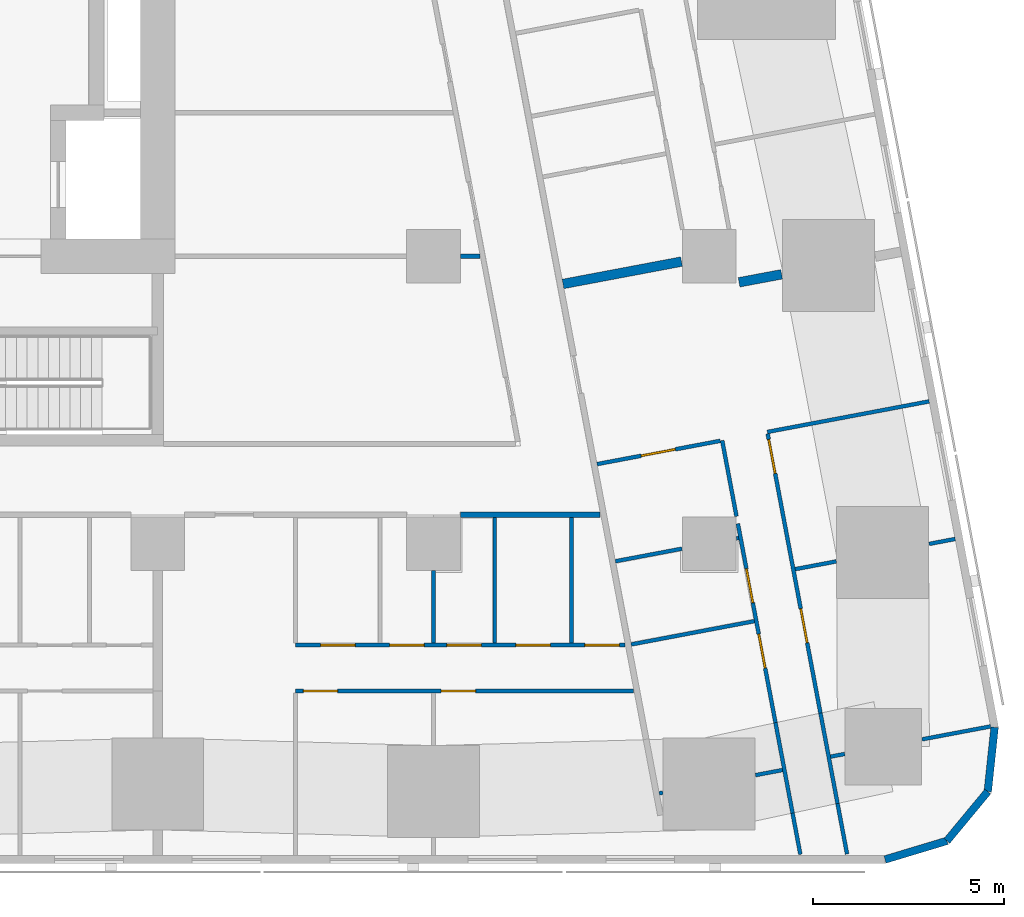
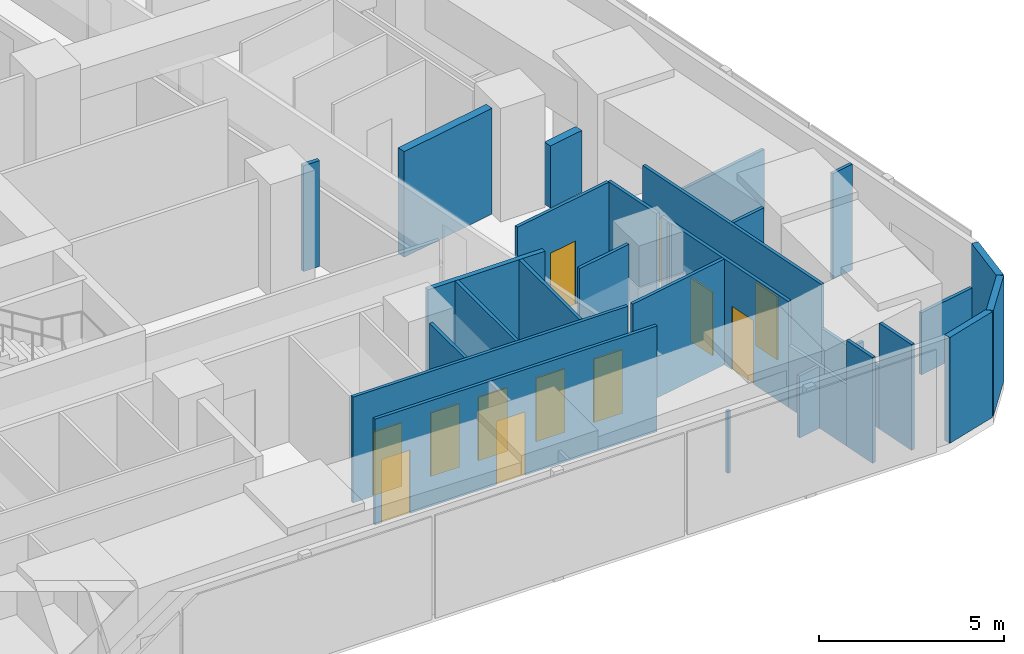
# One storey, part 10 of 17: 30 walls, 12 doors, 12 openings.
"""IFC4 building model written with IfcOpenShell, lengths in metres."""

from ifc_helpers import new_model, si_unit, direction, frame, frame_2d, origin, place, context, subcontext, project, spatial, rectangle, extrude, material, layer, layer_set, type_object, element, fill, save


model = new_model("IFC4")

# Units and contexts
model_context = context("Model", 3, precision=1e-05, world=origin(), true_north=direction((0.0, 1.0)))
body_context = subcontext(model_context, "Body", "Model", "MODEL_VIEW")
ifc_project = project(units=[si_unit("LENGTHUNIT", "METRE"), si_unit("AREAUNIT", "SQUARE_METRE"), si_unit("VOLUMEUNIT", "CUBIC_METRE"), si_unit("PLANEANGLEUNIT", "RADIAN"), si_unit("MASSUNIT", "GRAM", prefix="KILO")], contexts=[model_context])

# Site, building, storey
site_placement = place(None, origin())
site = spatial("IfcSite", under=ifc_project, at=site_placement, CompositionType="ELEMENT")
building_placement = place(site_placement, origin())
building = spatial("IfcBuilding", under=site, at=building_placement, Name="Sheger Commons Tower", CompositionType="ELEMENT")
storey_placement = place(building_placement, frame((0.0, 0.0, 193.699951171875)))
storey = spatial("IfcBuildingStorey", under=building, at=storey_placement, Name="L49", CompositionType="ELEMENT", Elevation=193.699951171875)

# Walls
ifc_material_1 = material(Name="Hollow concrete block masonry, skimmed both sides", Category="masonry")
ifc_layer_1 = layer(ifc_material_1, 0.14990234375)
ifc_layer_set_1 = layer_set([ifc_layer_1], Name="CORRIDOR WALL 150")
wall_type_1 = type_object("IfcWallType", Name="CORRIDOR WALL 150", PredefinedType="SOLIDWALL", material=ifc_layer_set_1)
wall_1_placement = place(storey_placement, frame((40.35498046875, 8.25, 0.0), z_axis=(0.0, 0.0, 1.0), x_axis=(-1.0, 0.0, 0.0)))
element("IfcWall", 1, at=wall_1_placement, inside=storey, type_object=wall_type_1, Name="Corridor wall L49", PredefinedType="SOLIDWALL", context=body_context, shape_type="SweptSolid", body=[
    extrude(rectangle(XDim=3.654052734375, YDim=0.14990234375, at=frame_2d((1.8271484375, 0.0))), origin(), (0.0, 0.0, 1.0), 3.5),
])
ifc_material_2 = material(Name="Dense concrete block masonry, plastered both sides (separating wall between flats)", Category="masonry")
ifc_layer_2 = layer(ifc_material_2, 0.25)
ifc_layer_set_2 = layer_set([ifc_layer_2], Name="DEMISING WALL 250")
wall_type_2 = type_object("IfcWallType", Name="DEMISING WALL 250", PredefinedType="SOLIDWALL", material=ifc_layer_set_2)
wall_2_placement = place(storey_placement, frame((45.090087890625, 14.531005859375, 0.0), z_axis=(0.0, 0.0, 1.0), x_axis=(-0.982737354171, -0.185006196431, 0.0)))
element("IfcWall", 2, at=wall_2_placement, inside=storey, type_object=wall_type_2, Name="Demising wall L49", PredefinedType="SOLIDWALL", context=body_context, shape_type="SweptSolid", body=[
    extrude(rectangle(XDim=1.129638671875, YDim=0.25, at=frame_2d((0.56494140625, 0.0))), origin(), (0.0, 0.0, 1.0), 2.050048828125),
])
wall_3_placement = place(storey_placement, frame((42.47607421875, 14.863037109375, 0.0), z_axis=(0.0, 0.0, 1.0), x_axis=(-0.982638716117, -0.185529387398, 0.0)))
element("IfcWall", 3, at=wall_3_placement, inside=storey, type_object=wall_type_2, Name="Demising wall L49", PredefinedType="SOLIDWALL", context=body_context, shape_type="SweptSolid", body=[
    extrude(rectangle(XDim=3.147705078125, YDim=0.25, at=frame_2d((1.57373046875, 0.0))), origin(), (0.0, 0.0, 1.0), 3.5),
])
ifc_material_3 = material(Name="Rendered concrete block masonry, dark grey", Category="masonry")
ifc_layer_3 = layer(ifc_material_3, 0.199951171875)
ifc_layer_set_3 = layer_set([ifc_layer_3], Name="FACADE WALL 200")
wall_type_3 = type_object("IfcWallType", Name="FACADE WALL 200", PredefinedType="SOLIDWALL", material=ifc_layer_set_3)
wall_4_placement = place(storey_placement, frame((47.791015625, -0.75, 0.0), z_axis=(0.0, 0.0, 1.0), x_axis=(0.957455232626, 0.288581838509, 0.0)))
element("IfcWall", 4, at=wall_4_placement, inside=storey, type_object=wall_type_3, Name="Facade wall L49", PredefinedType="SOLIDWALL", context=body_context, shape_type="SweptSolid", body=[
    extrude(rectangle(XDim=1.687744140625, YDim=0.199951171875, at=frame_2d((0.84375, 0.0))), origin(), (0.0, 0.0, 1.0), 3.5),
])
wall_5_placement = place(storey_placement, frame((49.406982421875, -0.262939453125, 0.0), z_axis=(0.0, 0.0, 1.0), x_axis=(0.638042593423, 0.770001070764, 0.0)))
element("IfcWall", 5, at=wall_5_placement, inside=storey, type_object=wall_type_3, Name="Facade wall L49", PredefinedType="SOLIDWALL", context=body_context, shape_type="SweptSolid", body=[
    extrude(rectangle(XDim=1.672607421875, YDim=0.199951171875, at=frame_2d((0.83642578125, 0.0))), origin(), (0.0, 0.0, 1.0), 3.5),
])
wall_6_placement = place(storey_placement, frame((50.47412109375, 1.02490234375, 0.0), z_axis=(0.0, 0.0, 1.0), x_axis=(0.106047815515, 0.994361031429, 0.0)))
element("IfcWall", 6, at=wall_6_placement, inside=storey, type_object=wall_type_3, Name="Facade wall L49", PredefinedType="SOLIDWALL", context=body_context, shape_type="SweptSolid", body=[
    extrude(rectangle(XDim=1.6875, YDim=0.199951171875, at=frame_2d((0.84375, 0.0))), origin(), (0.0, 0.0, 1.0), 3.5),
])

# Wall, openings, doors
ifc_material_4 = material(Name="Gypsum board on steel studs", Category="steel")
ifc_layer_4 = layer(ifc_material_4, 0.10009765625)
ifc_layer_set_4 = layer_set([ifc_layer_4], Name="PARTITION 100")
wall_type_4 = type_object("IfcWallType", Name="PARTITION 100", PredefinedType="PARTITIONING", material=ifc_layer_set_4)
wall_7_placement = place(storey_placement, frame((41.22900390625, 3.64990234375, 0.0), z_axis=(0.0, 0.0, 1.0), x_axis=(-1.0, 0.0, 0.0)))
wall_7 = element("IfcWall", 7, at=wall_7_placement, inside=storey, type_object=wall_type_4, Name="Partition L49", PredefinedType="PARTITIONING", context=body_context, shape_type="SweptSolid", body=[
    extrude(rectangle(XDim=8.8291015625, YDim=0.10009765625, at=frame_2d((4.41455078125, 0.0))), origin(), (0.0, 0.0, 1.0), 3.5),
])
opening_1_placement = place(wall_7_placement, frame((7.72900390625, 0.0, 0.0)))
opening_1 = element("IfcOpeningElement", 8, at=opening_1_placement, cuts=wall_7, Name="Opening D2", PredefinedType="OPENING", context=body_context, shape_type="SweptSolid", body=[
    extrude(rectangle(XDim=0.89990234375, YDim=2.10009765625, at=frame_2d((0.449951171875, 1.050048828125))), frame((0.0, 0.06005859375, 0.0), z_axis=(0.0, -1.0, 0.0), x_axis=(1.0, 0.0, 0.0)), (0.0, 0.0, 1.0), 0.1201171875),
])
opening_2_placement = place(wall_7_placement, frame((4.12890625, 0.0, 0.0)))
opening_2 = element("IfcOpeningElement", 9, at=opening_2_placement, cuts=wall_7, Name="Opening D2", PredefinedType="OPENING", context=body_context, shape_type="SweptSolid", body=[
    extrude(rectangle(XDim=0.89990234375, YDim=2.10009765625, at=frame_2d((0.449951171875, 1.050048828125))), frame((0.0, 0.06005859375, 0.0), z_axis=(0.0, -1.0, 0.0), x_axis=(1.0, 0.0, 0.0)), (0.0, 0.0, 1.0), 0.1201171875),
])
ifc_material_5 = material(Name="Timber door set", Category="wood")
door_type = type_object("IfcDoorType", Name="INTERNAL DOOR 900x2100", OperationType="NOTDEFINED", PredefinedType="DOOR", material=ifc_material_5)
door_1_placement = place(opening_1_placement, origin())
door_1 = element("IfcDoor", 10, at=door_1_placement, inside=storey, type_object=door_type, Name="Main bedroom door", OperationType="SINGLE_SWING_RIGHT", OverallHeight=2.10009765625, OverallWidth=0.89990234375, PredefinedType="DOOR", context=body_context, shape_type="SweptSolid", body=[
    extrude(rectangle(XDim=0.89990234375, YDim=2.10009765625, at=frame_2d((0.449951171875, 1.050048828125))), frame((0.0, 0.02490234375, 0.0), z_axis=(0.0, -1.0, 0.0), x_axis=(1.0, 0.0, 0.0)), (0.0, 0.0, 1.0), 0.050048828125),
])
fill(opening_1, door_1)
door_2_placement = place(opening_2_placement, origin())
door_2 = element("IfcDoor", 11, at=door_2_placement, inside=storey, type_object=door_type, Name="Bedroom 2 door", OperationType="SINGLE_SWING_RIGHT", OverallHeight=2.10009765625, OverallWidth=0.89990234375, PredefinedType="DOOR", context=body_context, shape_type="SweptSolid", body=[
    extrude(rectangle(XDim=0.89990234375, YDim=2.10009765625, at=frame_2d((0.449951171875, 1.050048828125))), frame((0.0, 0.02490234375, 0.0), z_axis=(0.0, -1.0, 0.0), x_axis=(1.0, 0.0, 0.0)), (0.0, 0.0, 1.0), 0.050048828125),
])
fill(opening_2, door_2)

wall_8_placement = place(storey_placement, frame((41.001953125, 4.85009765625, 0.0), z_axis=(0.0, 0.0, 1.0), x_axis=(-1.0, 0.0, 0.0)))
wall_8 = element("IfcWall", 12, at=wall_8_placement, inside=storey, type_object=wall_type_4, Name="Partition L49", PredefinedType="PARTITIONING", context=body_context, shape_type="SweptSolid", body=[
    extrude(rectangle(XDim=8.60205078125, YDim=0.10009765625, at=frame_2d((4.301025390625, 0.0))), origin(), (0.0, 0.0, 1.0), 3.5),
])
opening_3_placement = place(wall_8_placement, frame((7.047119140625, 0.0, 0.0)))
opening_3 = element("IfcOpeningElement", 13, at=opening_3_placement, cuts=wall_8, Name="Opening D2", PredefinedType="OPENING", context=body_context, shape_type="SweptSolid", body=[
    extrude(rectangle(XDim=0.89990234375, YDim=2.10009765625, at=frame_2d((0.449951171875, 1.050048828125))), frame((0.0, 0.06005859375, 0.0), z_axis=(0.0, -1.0, 0.0), x_axis=(1.0, 0.0, 0.0)), (0.0, 0.0, 1.0), 0.1201171875),
])
opening_4_placement = place(wall_8_placement, frame((3.751953125, 0.0, 0.0)))
opening_4 = element("IfcOpeningElement", 14, at=opening_4_placement, cuts=wall_8, Name="Opening D2", PredefinedType="OPENING", context=body_context, shape_type="SweptSolid", body=[
    extrude(rectangle(XDim=0.89990234375, YDim=2.10009765625, at=frame_2d((0.449951171875, 1.050048828125))), frame((0.0, 0.06005859375, 0.0), z_axis=(0.0, -1.0, 0.0), x_axis=(1.0, 0.0, 0.0)), (0.0, 0.0, 1.0), 0.1201171875),
])
opening_5_placement = place(wall_8_placement, frame((0.14990234375, 0.0, 0.0)))
opening_5 = element("IfcOpeningElement", 15, at=opening_5_placement, cuts=wall_8, Name="Opening D2", PredefinedType="OPENING", context=body_context, shape_type="SweptSolid", body=[
    extrude(rectangle(XDim=0.89990234375, YDim=2.10009765625, at=frame_2d((0.449951171875, 1.050048828125))), frame((0.0, 0.06005859375, 0.0), z_axis=(0.0, -1.0, 0.0), x_axis=(1.0, 0.0, 0.0)), (0.0, 0.0, 1.0), 0.1201171875),
])
opening_6_placement = place(wall_8_placement, frame((5.2470703125, 0.0, 0.0)))
opening_6 = element("IfcOpeningElement", 16, at=opening_6_placement, cuts=wall_8, Name="Opening D2", PredefinedType="OPENING", context=body_context, shape_type="SweptSolid", body=[
    extrude(rectangle(XDim=0.89990234375, YDim=2.10009765625, at=frame_2d((0.449951171875, 1.050048828125))), frame((0.0, 0.06005859375, 0.0), z_axis=(0.0, -1.0, 0.0), x_axis=(1.0, 0.0, 0.0)), (0.0, 0.0, 1.0), 0.1201171875),
])
opening_7_placement = place(wall_8_placement, frame((1.951904296875, 0.0, 0.0)))
opening_7 = element("IfcOpeningElement", 17, at=opening_7_placement, cuts=wall_8, Name="Opening D2", PredefinedType="OPENING", context=body_context, shape_type="SweptSolid", body=[
    extrude(rectangle(XDim=0.89990234375, YDim=2.10009765625, at=frame_2d((0.449951171875, 1.050048828125))), frame((0.0, 0.06005859375, 0.0), z_axis=(0.0, -1.0, 0.0), x_axis=(1.0, 0.0, 0.0)), (0.0, 0.0, 1.0), 0.1201171875),
])
door_3_placement = place(opening_3_placement, origin())
door_3 = element("IfcDoor", 18, at=door_3_placement, inside=storey, type_object=door_type, Name="Bathroom door", OperationType="SINGLE_SWING_LEFT", OverallHeight=2.10009765625, OverallWidth=0.89990234375, PredefinedType="DOOR", context=body_context, shape_type="SweptSolid", body=[
    extrude(rectangle(XDim=0.89990234375, YDim=2.10009765625, at=frame_2d((0.449951171875, 1.050048828125))), frame((0.0, 0.02490234375, 0.0), z_axis=(0.0, -1.0, 0.0), x_axis=(1.0, 0.0, 0.0)), (0.0, 0.0, 1.0), 0.050048828125),
])
fill(opening_3, door_3)
door_4_placement = place(opening_4_placement, origin())
door_4 = element("IfcDoor", 19, at=door_4_placement, inside=storey, type_object=door_type, Name="Shower room door", OperationType="SINGLE_SWING_LEFT", OverallHeight=2.10009765625, OverallWidth=0.89990234375, PredefinedType="DOOR", context=body_context, shape_type="SweptSolid", body=[
    extrude(rectangle(XDim=0.89990234375, YDim=2.10009765625, at=frame_2d((0.449951171875, 1.050048828125))), frame((0.0, 0.02490234375, 0.0), z_axis=(0.0, -1.0, 0.0), x_axis=(1.0, 0.0, 0.0)), (0.0, 0.0, 1.0), 0.050048828125),
])
fill(opening_4, door_4)
door_5_placement = place(opening_5_placement, origin())
door_5 = element("IfcDoor", 20, at=door_5_placement, inside=storey, type_object=door_type, Name="Laundry room door", OperationType="SINGLE_SWING_RIGHT", OverallHeight=2.10009765625, OverallWidth=0.89990234375, PredefinedType="DOOR", context=body_context, shape_type="SweptSolid", body=[
    extrude(rectangle(XDim=0.89990234375, YDim=2.10009765625, at=frame_2d((0.449951171875, 1.050048828125))), frame((0.0, 0.02490234375, 0.0), z_axis=(0.0, -1.0, 0.0), x_axis=(1.0, 0.0, 0.0)), (0.0, 0.0, 1.0), 0.050048828125),
])
fill(opening_5, door_5)
door_6_placement = place(opening_6_placement, origin())
door_6 = element("IfcDoor", 21, at=door_6_placement, inside=storey, type_object=door_type, Name="Store door", OperationType="SINGLE_SWING_RIGHT", OverallHeight=2.10009765625, OverallWidth=0.89990234375, PredefinedType="DOOR", context=body_context, shape_type="SweptSolid", body=[
    extrude(rectangle(XDim=0.89990234375, YDim=2.10009765625, at=frame_2d((0.449951171875, 1.050048828125))), frame((0.0, 0.02490234375, 0.0), z_axis=(0.0, -1.0, 0.0), x_axis=(1.0, 0.0, 0.0)), (0.0, 0.0, 1.0), 0.050048828125),
])
fill(opening_6, door_6)
door_7_placement = place(opening_7_placement, origin())
door_7 = element("IfcDoor", 22, at=door_7_placement, inside=storey, type_object=door_type, Name="Store door", OperationType="SINGLE_SWING_RIGHT", OverallHeight=2.10009765625, OverallWidth=0.89990234375, PredefinedType="DOOR", context=body_context, shape_type="SweptSolid", body=[
    extrude(rectangle(XDim=0.89990234375, YDim=2.10009765625, at=frame_2d((0.449951171875, 1.050048828125))), frame((0.0, 0.02490234375, 0.0), z_axis=(0.0, -1.0, 0.0), x_axis=(1.0, 0.0, 0.0)), (0.0, 0.0, 1.0), 0.050048828125),
])
fill(opening_7, door_7)

# Walls
wall_9_placement = place(storey_placement, frame((36.0, 4.89990234375, 0.0), z_axis=(0.0, 0.0, 1.0), x_axis=(0.0, 1.0, 0.0)))
element("IfcWall", 23, at=wall_9_placement, inside=storey, type_object=wall_type_4, Name="Partition L49", PredefinedType="PARTITIONING", context=body_context, shape_type="SweptSolid", body=[
    extrude(rectangle(XDim=1.899169921875, YDim=0.10009765625, at=frame_2d((0.94970703125, 0.0))), origin(), (0.0, 0.0, 1.0), 3.5),
])
for number, where, z_axis, x_axis, name in (
    (24, (39.60009765625, 4.89990234375, 0.0), (0.0, 0.0, 1.0), (0.0, 1.0, 0.0), "Partition L49"),
    (25, (37.60009765625, 4.89990234375, 0.0), (0.0, 0.0, 1.0), (0.0, 1.0, 0.0), "Partition L49"),
):
    element("IfcWall", number, at=place(storey_placement, frame(where, z_axis=z_axis, x_axis=x_axis)), inside=storey, type_object=wall_type_4, Name=name, PredefinedType="PARTITIONING", context=body_context, shape_type="SweptSolid", body=[
        extrude(rectangle(XDim=3.275146484375, YDim=0.10009765625, at=frame_2d((1.6376953125, 0.0))), origin(), (0.0, 0.0, 1.0), 3.5),
    ])

# Wall, openings, doors
wall_10_placement = place(storey_placement, frame((44.72705078125, 10.365966796875, 0.0), z_axis=(0.0, 0.0, 1.0), x_axis=(0.185678775129, -0.982610498858, 0.0)))
wall_10 = element("IfcWall", 26, at=wall_10_placement, inside=storey, type_object=wall_type_4, Name="Partition L49", PredefinedType="PARTITIONING", context=body_context, shape_type="SweptSolid", body=[
    extrude(rectangle(XDim=7.421142578125, YDim=0.10009765625, at=frame_2d((3.71044921875, 0.0))), origin(), (0.0, 0.0, 1.0), 3.5),
])
opening_8_placement = place(wall_10_placement, frame((0.15087890625, 0.0, 0.0)))
opening_8 = element("IfcOpeningElement", 27, at=opening_8_placement, cuts=wall_10, Name="Opening D2", PredefinedType="OPENING", context=body_context, shape_type="SweptSolid", body=[
    extrude(rectangle(XDim=0.89990234375, YDim=2.10009765625, at=frame_2d((0.449951171875, 1.050048828125))), frame((0.0, 0.06005859375, 0.0), z_axis=(0.0, -1.0, 0.0), x_axis=(1.0, 0.0, 0.0)), (0.0, 0.0, 1.0), 0.1201171875),
])
opening_9_placement = place(wall_10_placement, frame((4.64990234375, 0.0, 0.0)))
opening_9 = element("IfcOpeningElement", 28, at=opening_9_placement, cuts=wall_10, Name="Opening D2", PredefinedType="OPENING", context=body_context, shape_type="SweptSolid", body=[
    extrude(rectangle(XDim=0.89990234375, YDim=2.10009765625, at=frame_2d((0.449951171875, 1.050048828125))), frame((0.0, 0.06005859375, 0.0), z_axis=(0.0, -1.0, 0.0), x_axis=(1.0, 0.0, 0.0)), (0.0, 0.0, 1.0), 0.1201171875),
])
door_8_placement = place(opening_8_placement, origin())
door_8 = element("IfcDoor", 29, at=door_8_placement, inside=storey, type_object=door_type, Name="Main bedroom door", OperationType="SINGLE_SWING_LEFT", OverallHeight=2.10009765625, OverallWidth=0.89990234375, PredefinedType="DOOR", context=body_context, shape_type="SweptSolid", body=[
    extrude(rectangle(XDim=0.89990234375, YDim=2.10009765625, at=frame_2d((0.449951171875, 1.050048828125))), frame((0.0, 0.02490234375, 0.0), z_axis=(0.0, -1.0, 0.0), x_axis=(1.0, 0.0, 0.0)), (0.0, 0.0, 1.0), 0.050048828125),
])
fill(opening_8, door_8)
door_9_placement = place(opening_9_placement, origin())
door_9 = element("IfcDoor", 30, at=door_9_placement, inside=storey, type_object=door_type, Name="Bedroom 2 door", OperationType="SINGLE_SWING_LEFT", OverallHeight=2.10009765625, OverallWidth=0.89990234375, PredefinedType="DOOR", context=body_context, shape_type="SweptSolid", body=[
    extrude(rectangle(XDim=0.89990234375, YDim=2.10009765625, at=frame_2d((0.449951171875, 1.050048828125))), frame((0.0, 0.02490234375, 0.0), z_axis=(0.0, -1.0, 0.0), x_axis=(1.0, 0.0, 0.0)), (0.0, 0.0, 1.0), 0.050048828125),
])
fill(opening_9, door_9)

# Walls
wall_11_placement = place(storey_placement, frame((46.10498046875, 3.073974609375, 0.0), z_axis=(0.0, 0.0, 1.0), x_axis=(0.185631845838, -0.982619365681, 0.0)))
element("IfcWall", 31, at=wall_11_placement, inside=storey, type_object=wall_type_4, Name="Partition L49", PredefinedType="PARTITIONING", context=body_context, shape_type="SweptSolid", body=[
    extrude(rectangle(XDim=2.40283203125, YDim=0.10009765625, at=frame_2d((1.201416015625, 0.0))), origin(), (0.0, 0.0, 1.0), 2.050048828125),
])
wall_12_placement = place(storey_placement, frame((46.551025390625, 0.712890625, 0.0), z_axis=(0.0, 0.0, 1.0), x_axis=(0.185407859198, -0.982661653748, 0.0)))
element("IfcWall", 32, at=wall_12_placement, inside=storey, type_object=wall_type_4, Name="Partition L49", PredefinedType="PARTITIONING", context=body_context, shape_type="SweptSolid", body=[
    extrude(rectangle(XDim=1.343017578125, YDim=0.10009765625, at=frame_2d((0.67138671875, 0.0))), origin(), (0.0, 0.0, 1.0), 3.5),
])
wall_13_placement = place(storey_placement, frame((43.5390625, 10.19189453125, 0.0), z_axis=(0.0, 0.0, 1.0), x_axis=(0.185443145218, -0.982654995353, 0.0)))
element("IfcWall", 33, at=wall_13_placement, inside=storey, type_object=wall_type_4, Name="Partition L49", PredefinedType="PARTITIONING", context=body_context, shape_type="SweptSolid", body=[
    extrude(rectangle(XDim=2.016845703125, YDim=0.10009765625, at=frame_2d((1.00830078125, 0.0))), origin(), (0.0, 0.0, 1.0), 3.5),
])

# Wall, openings, doors
wall_14_placement = place(storey_placement, frame((43.948974609375, 8.02001953125, 0.0), z_axis=(0.0, 0.0, 1.0), x_axis=(0.185656792073, -0.982614652627, 0.0)))
wall_14 = element("IfcWall", 34, at=wall_14_placement, inside=storey, type_object=wall_type_4, Name="Partition L49", PredefinedType="PARTITIONING", context=body_context, shape_type="SweptSolid", body=[
    extrude(rectangle(XDim=5.2890625, YDim=0.10009765625, at=frame_2d((2.64453125, 0.0))), origin(), (0.0, 0.0, 1.0), 3.5),
])
opening_10_placement = place(wall_14_placement, frame((1.199951171875, 0.0, 0.0)))
opening_10 = element("IfcOpeningElement", 35, at=opening_10_placement, cuts=wall_14, Name="Opening D2", PredefinedType="OPENING", context=body_context, shape_type="SweptSolid", body=[
    extrude(rectangle(XDim=0.89990234375, YDim=2.10009765625, at=frame_2d((0.449951171875, 1.050048828125))), frame((0.0, 0.06005859375, 0.0), z_axis=(0.0, -1.0, 0.0), x_axis=(1.0, 0.0, 0.0)), (0.0, 0.0, 1.0), 0.1201171875),
])
opening_11_placement = place(wall_14_placement, frame((2.93505859375, 0.0, 0.0)))
opening_11 = element("IfcOpeningElement", 36, at=opening_11_placement, cuts=wall_14, Name="Opening D2", PredefinedType="OPENING", context=body_context, shape_type="SweptSolid", body=[
    extrude(rectangle(XDim=0.89990234375, YDim=2.10009765625, at=frame_2d((0.449951171875, 1.050048828125))), frame((0.0, 0.06005859375, 0.0), z_axis=(0.0, -1.0, 0.0), x_axis=(1.0, 0.0, 0.0)), (0.0, 0.0, 1.0), 0.1201171875),
])
door_10_placement = place(opening_10_placement, origin())
door_10 = element("IfcDoor", 37, at=door_10_placement, inside=storey, type_object=door_type, Name="Bathroom door", OperationType="SINGLE_SWING_LEFT", OverallHeight=2.10009765625, OverallWidth=0.89990234375, PredefinedType="DOOR", context=body_context, shape_type="SweptSolid", body=[
    extrude(rectangle(XDim=0.89990234375, YDim=2.10009765625, at=frame_2d((0.449951171875, 1.050048828125))), frame((0.0, 0.02490234375, 0.0), z_axis=(0.0, -1.0, 0.0), x_axis=(1.0, 0.0, 0.0)), (0.0, 0.0, 1.0), 0.050048828125),
])
fill(opening_10, door_10)
door_11_placement = place(opening_11_placement, origin())
door_11 = element("IfcDoor", 38, at=door_11_placement, inside=storey, type_object=door_type, Name="Store door", OperationType="SINGLE_SWING_RIGHT", OverallHeight=2.10009765625, OverallWidth=0.89990234375, PredefinedType="DOOR", context=body_context, shape_type="SweptSolid", body=[
    extrude(rectangle(XDim=0.89990234375, YDim=2.10009765625, at=frame_2d((0.449951171875, 1.050048828125))), frame((0.0, 0.02490234375, 0.0), z_axis=(0.0, -1.0, 0.0), x_axis=(1.0, 0.0, 0.0)), (0.0, 0.0, 1.0), 0.050048828125),
])
fill(opening_11, door_11)

# Walls
wall_15_placement = place(storey_placement, frame((44.930908203125, 2.822998046875, 0.0), z_axis=(0.0, 0.0, 1.0), x_axis=(0.185631845838, -0.982619365681, 0.0)))
element("IfcWall", 39, at=wall_15_placement, inside=storey, type_object=wall_type_4, Name="Partition L49", PredefinedType="PARTITIONING", context=body_context, shape_type="SweptSolid", body=[
    extrude(rectangle(XDim=2.40283203125, YDim=0.10009765625, at=frame_2d((1.201416015625, 0.0))), origin(), (0.0, 0.0, 1.0), 2.050048828125),
])
wall_16_placement = place(storey_placement, frame((45.376953125, 0.4619140625, 0.0), z_axis=(0.0, 0.0, 1.0), x_axis=(0.185513480919, -0.982641719243, 0.0)))
element("IfcWall", 40, at=wall_16_placement, inside=storey, type_object=wall_type_4, Name="Partition L49", PredefinedType="PARTITIONING", context=body_context, shape_type="SweptSolid", body=[
    extrude(rectangle(XDim=1.094970703125, YDim=0.10009765625, at=frame_2d((0.54736328125, 0.0))), origin(), (0.0, 0.0, 1.0), 3.5),
])
wall_17_placement = place(storey_placement, frame((48.943115234375, 11.212890625, 0.0), z_axis=(0.0, 0.0, 1.0), x_axis=(-0.982633535512, -0.185556823879, 0.0)))
element("IfcWall", 41, at=wall_17_placement, inside=storey, type_object=wall_type_4, Name="Partition L49", PredefinedType="PARTITIONING", context=body_context, shape_type="SweptSolid", body=[
    extrude(rectangle(XDim=4.2998046875, YDim=0.10009765625, at=frame_2d((2.14990234375, 0.0))), origin(), (0.0, 0.0, 1.0), 2.050048828125),
])
wall_18_placement = place(storey_placement, frame((49.6220703125, 7.6201171875, 0.0), z_axis=(0.0, 0.0, 1.0), x_axis=(-0.98254419619, -0.186029305578, 0.0)))
element("IfcWall", 42, at=wall_18_placement, inside=storey, type_object=wall_type_4, Name="Partition L49", PredefinedType="PARTITIONING", context=body_context, shape_type="SweptSolid", body=[
    extrude(rectangle(XDim=0.6943359375, YDim=0.10009765625, at=frame_2d((0.34716796875, 0.0))), origin(), (0.0, 0.0, 1.0), 3.5),
])
wall_19_placement = place(storey_placement, frame((46.52001953125, 7.034912109375, 0.0), z_axis=(0.0, 0.0, 1.0), x_axis=(-0.982620932907, -0.185623549726, 0.0)))
element("IfcWall", 43, at=wall_19_placement, inside=storey, type_object=wall_type_4, Name="Partition L49", PredefinedType="PARTITIONING", context=body_context, shape_type="SweptSolid", body=[
    extrude(rectangle(XDim=1.093017578125, YDim=0.10009765625, at=frame_2d((0.54638671875, 0.0))), origin(), (0.0, 0.0, 1.0), 3.5),
])
wall_20_placement = place(storey_placement, frame((50.547119140625, 2.72607421875, 0.0), z_axis=(0.0, 0.0, 1.0), x_axis=(-0.982603988143, -0.185713226471, 0.0)))
element("IfcWall", 44, at=wall_20_placement, inside=storey, type_object=wall_type_4, Name="Partition L49", PredefinedType="PARTITIONING", context=body_context, shape_type="SweptSolid", body=[
    extrude(rectangle(XDim=1.82080078125, YDim=0.10009765625, at=frame_2d((0.910400390625, 0.0))), origin(), (0.0, 0.0, 1.0), 2.050048828125),
])
wall_21_placement = place(storey_placement, frame((46.738037109375, 2.006103515625, 0.0), z_axis=(0.0, 0.0, 1.0), x_axis=(-0.982820466874, -0.184564161994, 0.0)))
element("IfcWall", 45, at=wall_21_placement, inside=storey, type_object=wall_type_4, Name="Partition L49", PredefinedType="PARTITIONING", context=body_context, shape_type="SweptSolid", body=[
    extrude(rectangle(XDim=0.374267578125, YDim=0.10009765625, at=frame_2d((0.18701171875, 0.0))), origin(), (0.0, 0.0, 1.0), 2.050048828125),
])

# Wall, opening, door
wall_22_placement = place(storey_placement, frame((43.489990234375, 10.18310546875, 0.0), z_axis=(0.0, 0.0, 1.0), x_axis=(-0.982607026909, -0.185697147715, 0.0)))
wall_22 = element("IfcWall", 46, at=wall_22_placement, inside=storey, type_object=wall_type_4, Name="Partition L49", PredefinedType="PARTITIONING", context=body_context, shape_type="SweptSolid", body=[
    extrude(rectangle(XDim=3.27490234375, YDim=0.10009765625, at=frame_2d((1.637451171875, 0.0))), origin(), (0.0, 0.0, 1.0), 3.5),
])
opening_12_placement = place(wall_22_placement, frame((1.199951171875, 0.0, 0.0)))
opening_12 = element("IfcOpeningElement", 47, at=opening_12_placement, cuts=wall_22, Name="Opening D2", PredefinedType="OPENING", context=body_context, shape_type="SweptSolid", body=[
    extrude(rectangle(XDim=0.89990234375, YDim=2.10009765625, at=frame_2d((0.449951171875, 1.050048828125))), frame((0.0, 0.06005859375, 0.0), z_axis=(0.0, -1.0, 0.0), x_axis=(1.0, 0.0, 0.0)), (0.0, 0.0, 1.0), 0.1201171875),
])
door_12_placement = place(opening_12_placement, origin())
door_12 = element("IfcDoor", 48, at=door_12_placement, inside=storey, type_object=door_type, Name="Store door", OperationType="SINGLE_SWING_RIGHT", OverallHeight=2.10009765625, OverallWidth=0.89990234375, PredefinedType="DOOR", context=body_context, shape_type="SweptSolid", body=[
    extrude(rectangle(XDim=0.89990234375, YDim=2.10009765625, at=frame_2d((0.449951171875, 1.050048828125))), frame((0.0, 0.02490234375, 0.0), z_axis=(0.0, -1.0, 0.0), x_axis=(1.0, 0.0, 0.0)), (0.0, 0.0, 1.0), 0.050048828125),
])
fill(opening_12, door_12)

# Walls
wall_23_placement = place(storey_placement, frame((43.968994140625, 7.64599609375, 0.0), z_axis=(0.0, 0.0, 1.0), x_axis=(-0.983147034646, -0.182816597351, 0.0)))
element("IfcWall", 49, at=wall_23_placement, inside=storey, type_object=wall_type_4, Name="Partition L49", PredefinedType="PARTITIONING", context=body_context, shape_type="SweptSolid", body=[
    extrude(rectangle(XDim=0.06005859375, YDim=0.10009765625, at=frame_2d((0.030029296875, 0.0))), origin(), (0.0, 0.0, 1.0), 3.5),
])
wall_24_placement = place(storey_placement, frame((42.489990234375, 7.366943359375, 0.0), z_axis=(0.0, 0.0, 1.0), x_axis=(-0.982585223885, -0.185812480215, 0.0)))
element("IfcWall", 50, at=wall_24_placement, inside=storey, type_object=wall_type_4, Name="Partition L49", PredefinedType="PARTITIONING", context=body_context, shape_type="SweptSolid", body=[
    extrude(rectangle(XDim=1.769775390625, YDim=0.10009765625, at=frame_2d((0.884765625, 0.0))), origin(), (0.0, 0.0, 1.0), 3.5),
])
wall_25_placement = place(storey_placement, frame((45.114013671875, 1.5869140625, 0.0), z_axis=(0.0, 0.0, 1.0), x_axis=(-0.982671022916, -0.185358195723, 0.0)))
element("IfcWall", 51, at=wall_25_placement, inside=storey, type_object=wall_type_4, Name="Partition L49", PredefinedType="PARTITIONING", context=body_context, shape_type="SweptSolid", body=[
    extrude(rectangle(XDim=0.716552734375, YDim=0.10009765625, at=frame_2d((0.3583984375, 0.0))), origin(), (0.0, 0.0, 1.0), 2.050048828125),
])
wall_26_placement = place(storey_placement, frame((41.989990234375, 0.9970703125, 0.0), z_axis=(0.0, 0.0, 1.0), x_axis=(-0.982382747416, -0.186880008506, 0.0)))
element("IfcWall", 52, at=wall_26_placement, inside=storey, type_object=wall_type_4, Name="Partition L49", PredefinedType="PARTITIONING", context=body_context, shape_type="SweptSolid", body=[
    extrude(rectangle(XDim=0.0966796875, YDim=0.10009765625, at=frame_2d((0.04833984375, 0.0))), origin(), (0.0, 0.0, 1.0), 2.050048828125),
])
wall_27_placement = place(storey_placement, frame((44.37890625, 5.47412109375, 0.0), z_axis=(0.0, 0.0, 1.0), x_axis=(-0.982607026909, -0.185697147715, 0.0)))
element("IfcWall", 53, at=wall_27_placement, inside=storey, type_object=wall_type_4, Name="Partition L49", PredefinedType="PARTITIONING", context=body_context, shape_type="SweptSolid", body=[
    extrude(rectangle(XDim=3.27490234375, YDim=0.10009765625, at=frame_2d((1.637451171875, 0.0))), origin(), (0.0, 0.0, 1.0), 3.5),
])
ifc_material_6 = material(Name="Gypsum board on steel studs, two layers each side, fire rated", Category="steel")
ifc_layer_5 = layer(ifc_material_6, 0.125)
ifc_layer_set_5 = layer_set([ifc_layer_5], Name="SERVICE WALL 125")
wall_type_5 = type_object("IfcWallType", Name="SERVICE WALL 125", PredefinedType="PARTITIONING", material=ifc_layer_set_5)
wall_28_placement = place(storey_placement, frame((36.700927734375, 15.0, 0.0), z_axis=(0.0, 0.0, 1.0), x_axis=(1.0, 0.0, 0.0)))
element("IfcWall", 54, at=wall_28_placement, inside=storey, type_object=wall_type_5, Name="Service room wall L49", PredefinedType="PARTITIONING", context=body_context, shape_type="SweptSolid", body=[
    extrude(rectangle(XDim=0.511962890625, YDim=0.125, at=frame_2d((0.255859375, 0.0))), origin(), (0.0, 0.0, 1.0), 3.5),
])

save(model, "model.ifc")
